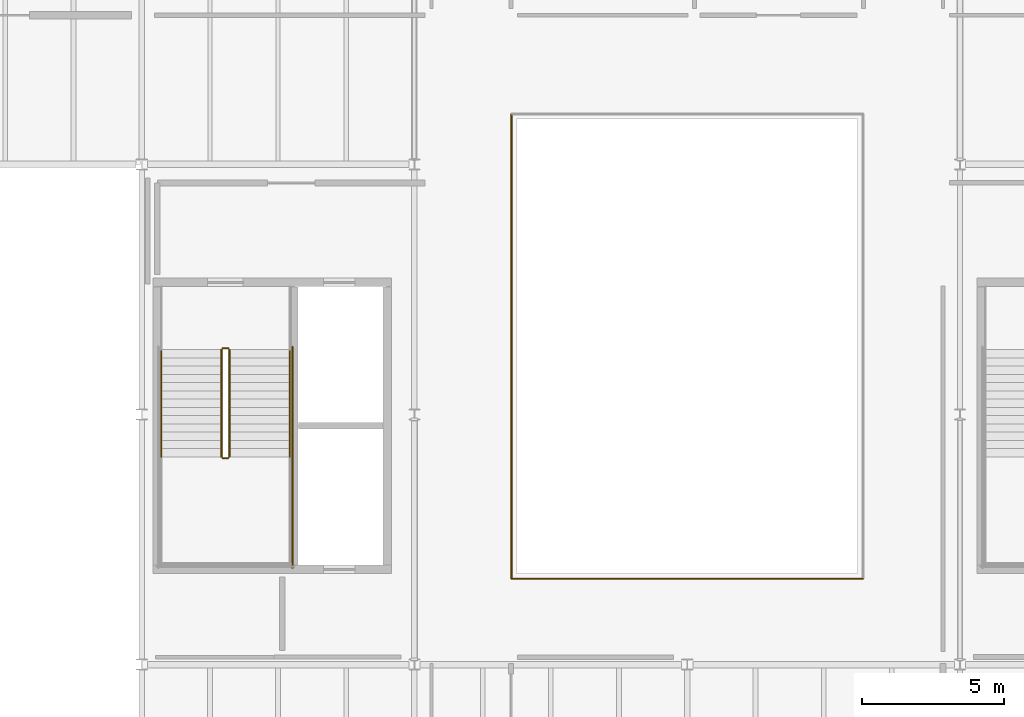
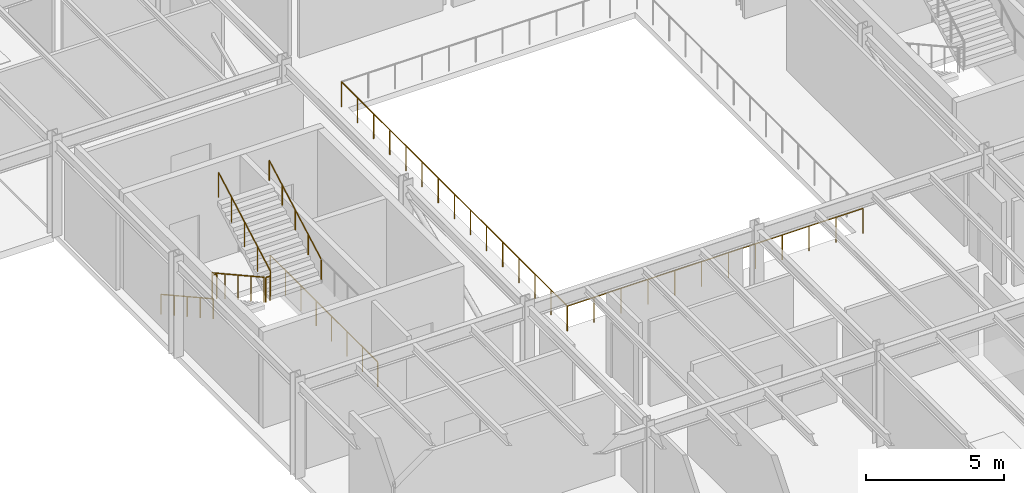
# One storey, part 68 of 77: 9 railings.
"""IFC4 building model written with IfcOpenShell, lengths in metres."""

from ifc_helpers import new_model, si_unit, direction, frame, origin, origin_2d, place, context, subcontext, project, spatial, circle, extrude, material, layer, layer_set, type_object, element, save


model = new_model("IFC4")

# Units and contexts
model_context = context("Model", 3, precision=1e-05, world=origin(), true_north=direction((0.0, 1.0)))
body_context = subcontext(model_context, "Body", "Model", "MODEL_VIEW")
ifc_project = project(units=[si_unit("LENGTHUNIT", "METRE"), si_unit("AREAUNIT", "SQUARE_METRE"), si_unit("VOLUMEUNIT", "CUBIC_METRE"), si_unit("PLANEANGLEUNIT", "RADIAN"), si_unit("MASSUNIT", "GRAM", prefix="KILO")], contexts=[model_context])

# Site, building, storey
site_placement = place(None, origin())
site = spatial("IfcSite", under=ifc_project, at=site_placement, CompositionType="ELEMENT")
building_placement = place(site_placement, origin())
building = spatial("IfcBuilding", under=site, at=building_placement, Name="Sarnbrook Museum", CompositionType="ELEMENT")
storey_placement = place(building_placement, frame((0.0, 0.0, 5.60009765625)))
storey = spatial("IfcBuildingStorey", under=building, at=storey_placement, Name="L01", CompositionType="ELEMENT", Elevation=5.60009765625)

# Railings
ifc_material = material(Name="Brushed Stainless Steel Grade 316", Category="steel")
ifc_layer_1 = layer(ifc_material, 0.050048828125)
ifc_layer_set_1 = layer_set([ifc_layer_1], Name="Brushed Stainless Steel Grade 316")
railing_type_1 = type_object("IfcRailingType", Name="Guard_Int1120", PredefinedType="BALUSTRADE", material=ifc_layer_set_1)
railing_1_placement = place(storey_placement, frame((83.610107421875, 67.8798828125, 0.16064453125)))
element("IfcRailing", 1, at=railing_1_placement, inside=storey, type_object=railing_type_1, Name="L01 ST3 stair guard 1", PredefinedType="BALUSTRADE", context=body_context, shape_type="SweptSolid", body=[
    extrude(circle(Radius=0.02392578125, at=origin_2d()), frame((0.0, 0.0, 1.09619140625), z_axis=(0.0, -0.874645791573, 0.484762559697), x_axis=(1.0, 0.0, 0.0)), (0.0, 0.0, 1.0), 4.31005859375),
    extrude(circle(Radius=0.02099609375, at=origin_2d()), origin(), (0.0, 0.0, 1.0), 1.072021484375),
    extrude(circle(Radius=0.02099609375, at=origin_2d()), frame((0.0, -0.9423828125, 0.5224609375)), (0.0, 0.0, 1.0), 1.072021484375),
    extrude(circle(Radius=0.02099609375, at=origin_2d()), frame((0.0, -1.884765625, 1.044677734375)), (0.0, 0.0, 1.0), 1.072021484375),
    extrude(circle(Radius=0.02099609375, at=origin_2d()), frame((0.0, -2.827392578125, 1.56689453125)), (0.0, 0.0, 1.0), 1.072021484375),
    extrude(circle(Radius=0.02099609375, at=origin_2d()), frame((0.0, -3.769775390625, 2.08935546875)), (0.0, 0.0, 1.0), 1.072021484375),
])
railing_2_placement = place(storey_placement, frame((83.659912109375, 64.06005859375, 2.25)))
element("IfcRailing", 2, at=railing_2_placement, inside=storey, type_object=railing_type_1, Name="L01 ST3 stair guard 2", PredefinedType="BALUSTRADE", context=body_context, shape_type="SweptSolid", body=[
    extrude(circle(Radius=0.02392578125, at=origin_2d()), frame((0.0, 0.0, 1.09619140625), z_axis=(1.0, 0.0, 0.0), x_axis=(0.0, 1.0, 0.0)), (0.0, 0.0, 1.0), 0.18017578125),
    extrude(circle(Radius=0.02099609375, at=origin_2d()), origin(), (0.0, 0.0, 1.0), 1.072021484375),
    extrude(circle(Radius=0.02099609375, at=origin_2d()), frame((0.18017578125, 0.0, 0.0)), (0.0, 0.0, 1.0), 1.072021484375),
])
railing_3_placement = place(storey_placement, frame((83.889892578125, 64.110107421875, 2.41064453125)))
element("IfcRailing", 3, at=railing_3_placement, inside=storey, type_object=railing_type_1, Name="L01 ST3 stair guard 6", PredefinedType="BALUSTRADE", context=body_context, shape_type="SweptSolid", body=[
    extrude(circle(Radius=0.02392578125, at=origin_2d()), frame((0.0, 0.0, 1.09619140625), z_axis=(0.0, 0.874645791573, 0.484762559697), x_axis=(-1.0, 0.0, 0.0)), (0.0, 0.0, 1.0), 4.31005859375),
    extrude(circle(Radius=0.02099609375, at=origin_2d()), origin(), (0.0, 0.0, 1.0), 1.072021484375),
    extrude(circle(Radius=0.02099609375, at=origin_2d()), frame((0.0, 0.9423828125, 0.5224609375)), (0.0, 0.0, 1.0), 1.072021484375),
    extrude(circle(Radius=0.02099609375, at=origin_2d()), frame((0.0, 1.884765625, 1.044677734375)), (0.0, 0.0, 1.0), 1.072021484375),
    extrude(circle(Radius=0.02099609375, at=origin_2d()), frame((0.0, 2.827392578125, 1.56689453125)), (0.0, 0.0, 1.0), 1.072021484375),
    extrude(circle(Radius=0.02099609375, at=origin_2d()), frame((0.0, 3.769775390625, 2.08935546875)), (0.0, 0.0, 1.0), 1.072021484375),
])
railing_4_placement = place(storey_placement, frame((83.659912109375, 67.929931640625, 0.0)))
element("IfcRailing", 4, at=railing_4_placement, inside=storey, type_object=railing_type_1, Name="L01 ST3 stair guard 7", PredefinedType="BALUSTRADE", context=body_context, shape_type="SweptSolid", body=[
    extrude(circle(Radius=0.02392578125, at=origin_2d()), frame((0.0, 0.0, 1.09619140625), z_axis=(1.0, 0.0, 0.0), x_axis=(0.0, 1.0, 0.0)), (0.0, 0.0, 1.0), 0.18017578125),
    extrude(circle(Radius=0.02099609375, at=origin_2d()), origin(), (0.0, 0.0, 1.0), 1.072021484375),
    extrude(circle(Radius=0.02099609375, at=origin_2d()), frame((0.18017578125, 0.0, 0.0)), (0.0, 0.0, 1.0), 1.072021484375),
])
railing_5_placement = place(storey_placement, frame((86.110107421875, 67.97998046875, 0.0)))
element("IfcRailing", 5, at=railing_5_placement, inside=storey, type_object=railing_type_1, Name="L01 ST3 stair guard 11", PredefinedType="BALUSTRADE", context=body_context, shape_type="SweptSolid", body=[
    extrude(circle(Radius=0.02392578125, at=origin_2d()), frame((0.0, 0.0, 1.09619140625), z_axis=(0.0, -1.0, 0.0), x_axis=(1.0, 0.0, 0.0)), (0.0, 0.0, 1.0), 7.780029296875),
    extrude(circle(Radius=0.02099609375, at=origin_2d()), origin(), (0.0, 0.0, 1.0), 1.072021484375),
    extrude(circle(Radius=0.02099609375, at=origin_2d()), frame((0.0, -1.111328125, 0.0)), (0.0, 0.0, 1.0), 1.072021484375),
    extrude(circle(Radius=0.02099609375, at=origin_2d()), frame((0.0, -2.222900390625, 0.0)), (0.0, 0.0, 1.0), 1.072021484375),
    extrude(circle(Radius=0.02099609375, at=origin_2d()), frame((0.0, -3.334228515625, 0.0)), (0.0, 0.0, 1.0), 1.072021484375),
    extrude(circle(Radius=0.02099609375, at=origin_2d()), frame((0.0, -4.44580078125, 0.0)), (0.0, 0.0, 1.0), 1.072021484375),
    extrude(circle(Radius=0.02099609375, at=origin_2d()), frame((0.0, -5.55712890625, 0.0)), (0.0, 0.0, 1.0), 1.072021484375),
    extrude(circle(Radius=0.02099609375, at=origin_2d()), frame((0.0, -6.668701171875, 0.0)), (0.0, 0.0, 1.0), 1.072021484375),
    extrude(circle(Radius=0.02099609375, at=origin_2d()), frame((0.0, -7.780029296875, 0.0)), (0.0, 0.0, 1.0), 1.072021484375),
])
railing_6_placement = place(storey_placement, frame((93.820068359375, 59.820068359375, 0.0)))
element("IfcRailing", 6, at=railing_6_placement, inside=storey, type_object=railing_type_1, Name="Atrium Gallery Balustrade L01-1", PredefinedType="BALUSTRADE", context=body_context, shape_type="SweptSolid", body=[
    extrude(circle(Radius=0.02392578125, at=origin_2d()), frame((0.0, 0.0, 1.09619140625), z_axis=(1.0, 0.0, 0.0), x_axis=(0.0, 1.0, 0.0)), (0.0, 0.0, 1.0), 12.35986328125),
    extrude(circle(Radius=0.02099609375, at=origin_2d()), origin(), (0.0, 0.0, 1.0), 1.072021484375),
    extrude(circle(Radius=0.02099609375, at=origin_2d()), frame((1.12353515625, 0.0, 0.0)), (0.0, 0.0, 1.0), 1.072021484375),
    extrude(circle(Radius=0.02099609375, at=origin_2d()), frame((2.247314453125, 0.0, 0.0)), (0.0, 0.0, 1.0), 1.072021484375),
    extrude(circle(Radius=0.02099609375, at=origin_2d()), frame((3.370849609375, 0.0, 0.0)), (0.0, 0.0, 1.0), 1.072021484375),
    extrude(circle(Radius=0.02099609375, at=origin_2d()), frame((4.494384765625, 0.0, 0.0)), (0.0, 0.0, 1.0), 1.072021484375),
    extrude(circle(Radius=0.02099609375, at=origin_2d()), frame((5.6181640625, 0.0, 0.0)), (0.0, 0.0, 1.0), 1.072021484375),
    extrude(circle(Radius=0.02099609375, at=origin_2d()), frame((6.74169921875, 0.0, 0.0)), (0.0, 0.0, 1.0), 1.072021484375),
    extrude(circle(Radius=0.02099609375, at=origin_2d()), frame((7.865478515625, 0.0, 0.0)), (0.0, 0.0, 1.0), 1.072021484375),
    extrude(circle(Radius=0.02099609375, at=origin_2d()), frame((8.989013671875, 0.0, 0.0)), (0.0, 0.0, 1.0), 1.072021484375),
    extrude(circle(Radius=0.02099609375, at=origin_2d()), frame((10.112548828125, 0.0, 0.0)), (0.0, 0.0, 1.0), 1.072021484375),
    extrude(circle(Radius=0.02099609375, at=origin_2d()), frame((11.236328125, 0.0, 0.0)), (0.0, 0.0, 1.0), 1.072021484375),
    extrude(circle(Radius=0.02099609375, at=origin_2d()), frame((12.35986328125, 0.0, 0.0)), (0.0, 0.0, 1.0), 1.072021484375),
])
railing_7_placement = place(storey_placement, frame((93.820068359375, 76.179931640625, 0.0)))
element("IfcRailing", 7, at=railing_7_placement, inside=storey, type_object=railing_type_1, Name="Atrium Gallery Balustrade L01-4", PredefinedType="BALUSTRADE", context=body_context, shape_type="SweptSolid", body=[
    extrude(circle(Radius=0.02392578125, at=origin_2d()), frame((0.0, 0.0, 1.09619140625), z_axis=(0.0, -1.0, 0.0), x_axis=(1.0, 0.0, 0.0)), (0.0, 0.0, 1.0), 16.35986328125),
    extrude(circle(Radius=0.02099609375, at=origin_2d()), origin(), (0.0, 0.0, 1.0), 1.072021484375),
    extrude(circle(Radius=0.02099609375, at=origin_2d()), frame((0.0, -1.16845703125, 0.0)), (0.0, 0.0, 1.0), 1.072021484375),
    extrude(circle(Radius=0.02099609375, at=origin_2d()), frame((0.0, -2.337158203125, 0.0)), (0.0, 0.0, 1.0), 1.072021484375),
    extrude(circle(Radius=0.02099609375, at=origin_2d()), frame((0.0, -3.505615234375, 0.0)), (0.0, 0.0, 1.0), 1.072021484375),
    extrude(circle(Radius=0.02099609375, at=origin_2d()), frame((0.0, -4.67431640625, 0.0)), (0.0, 0.0, 1.0), 1.072021484375),
    extrude(circle(Radius=0.02099609375, at=origin_2d()), frame((0.0, -5.8427734375, 0.0)), (0.0, 0.0, 1.0), 1.072021484375),
    extrude(circle(Radius=0.02099609375, at=origin_2d()), frame((0.0, -7.011474609375, 0.0)), (0.0, 0.0, 1.0), 1.072021484375),
    extrude(circle(Radius=0.02099609375, at=origin_2d()), frame((0.0, -8.179931640625, 0.0)), (0.0, 0.0, 1.0), 1.072021484375),
    extrude(circle(Radius=0.02099609375, at=origin_2d()), frame((0.0, -9.348388671875, 0.0)), (0.0, 0.0, 1.0), 1.072021484375),
    extrude(circle(Radius=0.02099609375, at=origin_2d()), frame((0.0, -10.51708984375, 0.0)), (0.0, 0.0, 1.0), 1.072021484375),
    extrude(circle(Radius=0.02099609375, at=origin_2d()), frame((0.0, -11.685546875, 0.0)), (0.0, 0.0, 1.0), 1.072021484375),
    extrude(circle(Radius=0.02099609375, at=origin_2d()), frame((0.0, -12.854248046875, 0.0)), (0.0, 0.0, 1.0), 1.072021484375),
    extrude(circle(Radius=0.02099609375, at=origin_2d()), frame((0.0, -14.022705078125, 0.0)), (0.0, 0.0, 1.0), 1.072021484375),
    extrude(circle(Radius=0.02099609375, at=origin_2d()), frame((0.0, -15.19140625, 0.0)), (0.0, 0.0, 1.0), 1.072021484375),
    extrude(circle(Radius=0.02099609375, at=origin_2d()), frame((0.0, -16.35986328125, 0.0)), (0.0, 0.0, 1.0), 1.072021484375),
])
ifc_layer_2 = layer(ifc_material, 0.048095703125)
ifc_layer_set_2 = layer_set([ifc_layer_2], Name="Brushed Stainless Steel Grade 316")
railing_type_2 = type_object("IfcRailingType", Name="Handrail_920", PredefinedType="HANDRAIL", material=ifc_layer_set_2)
railing_8_placement = place(storey_placement, frame((81.489990234375, 67.8798828125, 0.16064453125)))
element("IfcRailing", 8, at=railing_8_placement, inside=storey, type_object=railing_type_2, Name="L01 ST3 stair handrail 1", PredefinedType="HANDRAIL", context=body_context, shape_type="SweptSolid", body=[
    extrude(circle(Radius=0.02392578125, at=origin_2d()), frame((0.0, 0.0, 0.8857421875), z_axis=(0.0, -0.874645791573, 0.484762559697), x_axis=(1.0, 0.0, 0.0)), (0.0, 0.0, 1.0), 4.31005859375),
    extrude(circle(Radius=0.02099609375, at=origin_2d()), origin(), (0.0, 0.0, 1.0), 0.86181640625),
    extrude(circle(Radius=0.02099609375, at=origin_2d()), frame((0.0, -0.9423828125, 0.5224609375)), (0.0, 0.0, 1.0), 0.86181640625),
    extrude(circle(Radius=0.02099609375, at=origin_2d()), frame((0.0, -1.884765625, 1.044677734375)), (0.0, 0.0, 1.0), 0.86181640625),
    extrude(circle(Radius=0.02099609375, at=origin_2d()), frame((0.0, -2.827392578125, 1.56689453125)), (0.0, 0.0, 1.0), 0.86181640625),
    extrude(circle(Radius=0.02099609375, at=origin_2d()), frame((0.0, -3.769775390625, 2.08935546875)), (0.0, 0.0, 1.0), 0.86181640625),
])
railing_9_placement = place(storey_placement, frame((86.010009765625, 64.110107421875, 2.41064453125)))
element("IfcRailing", 9, at=railing_9_placement, inside=storey, type_object=railing_type_2, Name="L01 ST3 stair handrail 2", PredefinedType="HANDRAIL", context=body_context, shape_type="SweptSolid", body=[
    extrude(circle(Radius=0.02392578125, at=origin_2d()), frame((0.0, 0.0, 0.8857421875), z_axis=(0.0, 0.874645791573, 0.484762559697), x_axis=(-1.0, 0.0, 0.0)), (0.0, 0.0, 1.0), 4.31005859375),
    extrude(circle(Radius=0.02099609375, at=origin_2d()), origin(), (0.0, 0.0, 1.0), 0.86181640625),
    extrude(circle(Radius=0.02099609375, at=origin_2d()), frame((0.0, 0.9423828125, 0.5224609375)), (0.0, 0.0, 1.0), 0.86181640625),
    extrude(circle(Radius=0.02099609375, at=origin_2d()), frame((0.0, 1.884765625, 1.044677734375)), (0.0, 0.0, 1.0), 0.86181640625),
    extrude(circle(Radius=0.02099609375, at=origin_2d()), frame((0.0, 2.827392578125, 1.56689453125)), (0.0, 0.0, 1.0), 0.86181640625),
    extrude(circle(Radius=0.02099609375, at=origin_2d()), frame((0.0, 3.769775390625, 2.08935546875)), (0.0, 0.0, 1.0), 0.86181640625),
])

save(model, "model.ifc")
